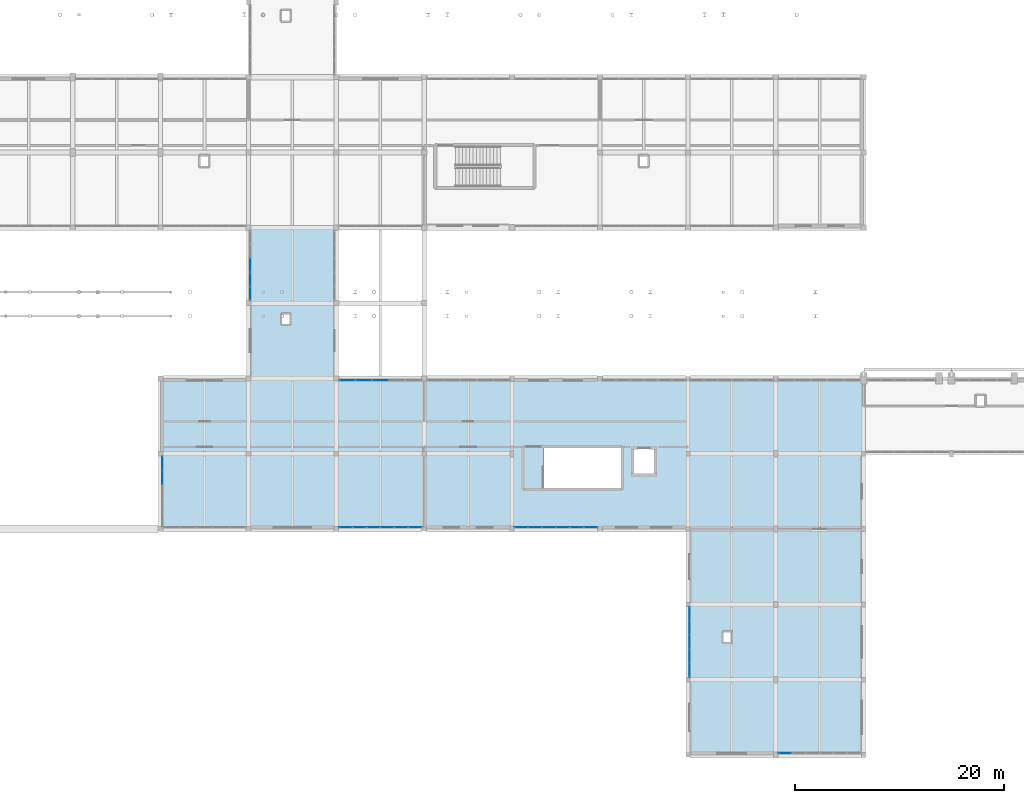
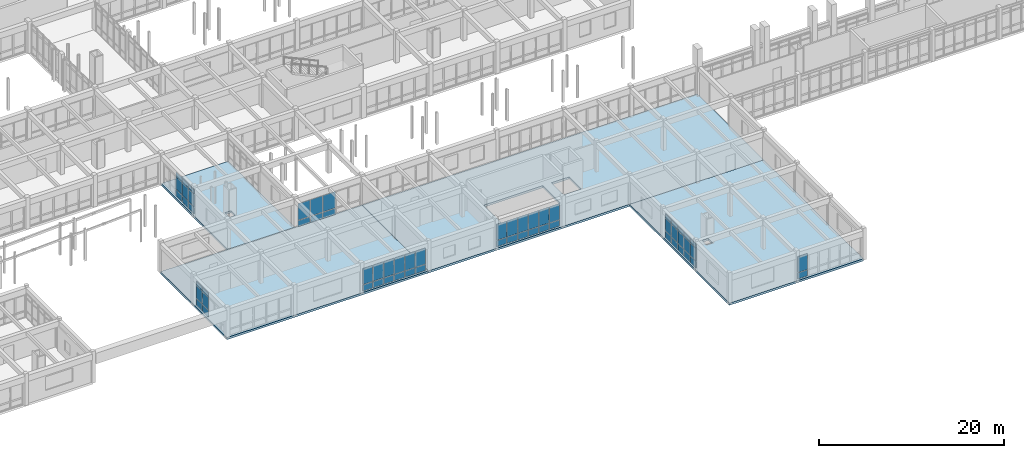
# One storey, part 103 of 147: 62 plates, 4 slabs, 7 elements without a shape of their own.
"""IFC4 building model written with IfcOpenShell, lengths in metres."""

from ifc_helpers import new_model, si_unit, direction, frame, origin, origin_2d, place, context, subcontext, project, spatial, polyline, rectangle, outline, extrude, material, layer, layer_set, type_object, element, aggregate, save


model = new_model("IFC4")

# Units and contexts
model_context = context("Model", 3, precision=1e-05, world=origin(), true_north=direction((0.0, 1.0)))
body_context = subcontext(model_context, "Body", "Model", "MODEL_VIEW")
ifc_project = project(units=[si_unit("LENGTHUNIT", "METRE"), si_unit("AREAUNIT", "SQUARE_METRE"), si_unit("VOLUMEUNIT", "CUBIC_METRE"), si_unit("PLANEANGLEUNIT", "RADIAN"), si_unit("MASSUNIT", "GRAM", prefix="KILO")], contexts=[model_context])

# Site, building, storey
site_placement = place(None, origin())
site = spatial("IfcSite", under=ifc_project, at=site_placement, CompositionType="ELEMENT")
building_placement = place(site_placement, origin())
building = spatial("IfcBuilding", under=site, at=building_placement, Name="Malvenik Polytechnic", CompositionType="ELEMENT")
storey_placement = place(building_placement, frame((0.0, 0.0, 5.10009765625)))
storey = spatial("IfcBuildingStorey", under=building, at=storey_placement, Name="L01", CompositionType="ELEMENT", Elevation=5.10009765625)

# Curtain wall, plates
ifc_material_1 = material(Name="Anodised aluminium 6060-T6", Category="aluminium")
curtain_wall_type_1 = type_object("IfcCurtainWallType", Name="ARC-CW-CW-02", PredefinedType="NOTDEFINED", material=ifc_material_1)
curtain_wall_1_placement = place(storey_placement, origin())
curtain_wall_1 = element("IfcCurtainWall", 1, at=curtain_wall_1_placement, inside=storey, type_object=curtain_wall_type_1, Name="Unitised Curtain Wall CW-02 L01 #94", PredefinedType="NOTDEFINED")
ifc_material_2 = material(Name="Insulated low-E double glazing 8-16-8", Category="glass")
ifc_layer_1 = layer(ifc_material_2, 0.028076171875)
ifc_layer_set_1 = layer_set([ifc_layer_1], Name="Insulated low-E double glazing 8-16-8")
plate_type_1 = type_object("IfcPlateType", Name="ARC-CWP-CP-GLZ28", PredefinedType="CURTAIN_PANEL", material=ifc_layer_set_1)
plate_1_placement = place(storey_placement, frame((85.053466796875, 35.830078125, 0.929931640625), z_axis=(0.0, 0.0, 1.0), x_axis=(1.0, 0.0, 0.0)))
plate_1 = element("IfcPlate", 2, at=plate_1_placement, type_object=plate_type_1, Name="CW-02 panel 1.2", PredefinedType="CURTAIN_PANEL", context=body_context, shape_type="SweptSolid", body=[
    extrude(rectangle(XDim=1.49072265625, YDim=0.028076171875, at=origin_2d()), origin(), (0.0, 0.0, 1.0), 2.169921875),
])
plate_2_placement = place(storey_placement, frame((86.619140625, 35.830078125, 0.929931640625), z_axis=(0.0, 0.0, 1.0), x_axis=(1.0, 0.0, 0.0)))
plate_2 = element("IfcPlate", 3, at=plate_2_placement, type_object=plate_type_1, Name="CW-02 panel 2.2", PredefinedType="CURTAIN_PANEL", context=body_context, shape_type="SweptSolid", body=[
    extrude(rectangle(XDim=1.520751953125, YDim=0.028076171875, at=origin_2d()), origin(), (0.0, 0.0, 1.0), 2.169921875),
])
plate_3_placement = place(storey_placement, frame((88.199951171875, 35.830078125, 0.929931640625), z_axis=(0.0, 0.0, 1.0), x_axis=(1.0, 0.0, 0.0)))
plate_3 = element("IfcPlate", 4, at=plate_3_placement, type_object=plate_type_1, Name="CW-02 panel 3.2", PredefinedType="CURTAIN_PANEL", context=body_context, shape_type="SweptSolid", body=[
    extrude(rectangle(XDim=1.520751953125, YDim=0.028076171875, at=origin_2d()), origin(), (0.0, 0.0, 1.0), 2.169921875),
])

# Curtain wall, plate
curtain_wall_2_placement = place(storey_placement, origin())
curtain_wall_2 = element("IfcCurtainWall", 5, at=curtain_wall_2_placement, inside=storey, type_object=curtain_wall_type_1, Name="Unitised Curtain Wall CW-02 L01 #111", PredefinedType="NOTDEFINED")
plate_4_placement = place(storey_placement, frame((126.8779296875, 0.169921875, 0.929931640625), z_axis=(0.0, 0.0, 1.0), x_axis=(-1.0, 0.0, 0.0)))
plate_4 = element("IfcPlate", 6, at=plate_4_placement, type_object=plate_type_1, Name="CW-02 panel 6.2", PredefinedType="CURTAIN_PANEL", context=body_context, shape_type="SweptSolid", body=[
    extrude(rectangle(XDim=1.23974609375, YDim=0.028076171875, at=origin_2d()), origin(), (0.0, 0.0, 1.0), 2.1201171875),
])

# Curtain wall, plates
curtain_wall_type_2 = type_object("IfcCurtainWallType", Name="ARC-CW-CW-05", PredefinedType="NOTDEFINED", material=ifc_material_1)
curtain_wall_3_placement = place(storey_placement, origin())
curtain_wall_3 = element("IfcCurtainWall", 7, at=curtain_wall_3_placement, inside=storey, type_object=curtain_wall_type_2, Name="Unitised Curtain Wall CW-05 L01 #112", PredefinedType="NOTDEFINED")
plate_5_placement = place(storey_placement, frame((117.77001953125, 8.093505859375, 0.97998046875), z_axis=(0.0, 0.0, 1.0), x_axis=(0.0, 1.0, 0.0)))
plate_5 = element("IfcPlate", 8, at=plate_5_placement, type_object=plate_type_1, Name="CW-05 panel 1.2", PredefinedType="CURTAIN_PANEL", context=body_context, shape_type="SweptSolid", body=[
    extrude(rectangle(XDim=1.270751953125, YDim=0.028076171875, at=origin_2d()), origin(), (0.0, 0.0, 1.0), 1.64990234375),
])
plate_6_placement = place(storey_placement, frame((117.77001953125, 8.093505859375, 2.68994140625), z_axis=(0.0, 0.0, 1.0), x_axis=(0.0, 1.0, 0.0)))
plate_6 = element("IfcPlate", 9, at=plate_6_placement, type_object=plate_type_1, Name="CW-05 panel 1.3", PredefinedType="CURTAIN_PANEL", context=body_context, shape_type="SweptSolid", body=[
    extrude(rectangle(XDim=1.270751953125, YDim=0.028076171875, at=origin_2d()), origin(), (0.0, 0.0, 1.0), 0.56005859375),
])
plate_7_placement = place(storey_placement, frame((117.77001953125, 9.439208984375, 0.97998046875), z_axis=(0.0, 0.0, 1.0), x_axis=(0.0, 1.0, 0.0)))
plate_7 = element("IfcPlate", 10, at=plate_7_placement, type_object=plate_type_1, Name="CW-05 panel 2.2", PredefinedType="CURTAIN_PANEL", context=body_context, shape_type="SweptSolid", body=[
    extrude(rectangle(XDim=1.30078125, YDim=0.028076171875, at=origin_2d()), origin(), (0.0, 0.0, 1.0), 1.64990234375),
])
plate_8_placement = place(storey_placement, frame((117.77001953125, 9.439208984375, 2.68994140625), z_axis=(0.0, 0.0, 1.0), x_axis=(0.0, 1.0, 0.0)))
plate_8 = element("IfcPlate", 11, at=plate_8_placement, type_object=plate_type_1, Name="CW-05 panel 2.3", PredefinedType="CURTAIN_PANEL", context=body_context, shape_type="SweptSolid", body=[
    extrude(rectangle(XDim=1.30078125, YDim=0.028076171875, at=origin_2d()), origin(), (0.0, 0.0, 1.0), 0.56005859375),
])
plate_9_placement = place(storey_placement, frame((117.77001953125, 10.800048828125, 0.97998046875), z_axis=(0.0, 0.0, 1.0), x_axis=(0.0, 1.0, 0.0)))
plate_9 = element("IfcPlate", 12, at=plate_9_placement, type_object=plate_type_1, Name="CW-05 panel 3.2", PredefinedType="CURTAIN_PANEL", context=body_context, shape_type="SweptSolid", body=[
    extrude(rectangle(XDim=1.30078125, YDim=0.028076171875, at=origin_2d()), origin(), (0.0, 0.0, 1.0), 1.64990234375),
])
plate_10_placement = place(storey_placement, frame((117.77001953125, 10.800048828125, 2.68994140625), z_axis=(0.0, 0.0, 1.0), x_axis=(0.0, 1.0, 0.0)))
plate_10 = element("IfcPlate", 13, at=plate_10_placement, type_object=plate_type_1, Name="CW-05 panel 3.3", PredefinedType="CURTAIN_PANEL", context=body_context, shape_type="SweptSolid", body=[
    extrude(rectangle(XDim=1.30078125, YDim=0.028076171875, at=origin_2d()), origin(), (0.0, 0.0, 1.0), 0.56005859375),
])
plate_11_placement = place(storey_placement, frame((117.77001953125, 12.160888671875, 0.97998046875), z_axis=(0.0, 0.0, 1.0), x_axis=(0.0, 1.0, 0.0)))
plate_11 = element("IfcPlate", 14, at=plate_11_placement, type_object=plate_type_1, Name="CW-05 panel 4.2", PredefinedType="CURTAIN_PANEL", context=body_context, shape_type="SweptSolid", body=[
    extrude(rectangle(XDim=1.30078125, YDim=0.028076171875, at=origin_2d()), origin(), (0.0, 0.0, 1.0), 1.64990234375),
])
plate_12_placement = place(storey_placement, frame((117.77001953125, 12.160888671875, 2.68994140625), z_axis=(0.0, 0.0, 1.0), x_axis=(0.0, 1.0, 0.0)))
plate_12 = element("IfcPlate", 15, at=plate_12_placement, type_object=plate_type_1, Name="CW-05 panel 4.3", PredefinedType="CURTAIN_PANEL", context=body_context, shape_type="SweptSolid", body=[
    extrude(rectangle(XDim=1.30078125, YDim=0.028076171875, at=origin_2d()), origin(), (0.0, 0.0, 1.0), 0.56005859375),
])
plate_13_placement = place(storey_placement, frame((117.77001953125, 13.506591796875, 0.97998046875), z_axis=(0.0, 0.0, 1.0), x_axis=(0.0, 1.0, 0.0)))
plate_13 = element("IfcPlate", 16, at=plate_13_placement, type_object=plate_type_1, Name="CW-05 panel 5.2", PredefinedType="CURTAIN_PANEL", context=body_context, shape_type="SweptSolid", body=[
    extrude(rectangle(XDim=1.270751953125, YDim=0.028076171875, at=origin_2d()), origin(), (0.0, 0.0, 1.0), 1.64990234375),
])
plate_14_placement = place(storey_placement, frame((117.77001953125, 13.506591796875, 2.68994140625), z_axis=(0.0, 0.0, 1.0), x_axis=(0.0, 1.0, 0.0)))
plate_14 = element("IfcPlate", 17, at=plate_14_placement, type_object=plate_type_1, Name="CW-05 panel 5.3", PredefinedType="CURTAIN_PANEL", context=body_context, shape_type="SweptSolid", body=[
    extrude(rectangle(XDim=1.270751953125, YDim=0.028076171875, at=origin_2d()), origin(), (0.0, 0.0, 1.0), 0.56005859375),
])

curtain_wall_4_placement = place(storey_placement, origin())
curtain_wall_4 = element("IfcCurtainWall", 18, at=curtain_wall_4_placement, inside=storey, type_object=curtain_wall_type_1, Name="Unitised Curtain Wall CW-02 L01 #113", PredefinedType="NOTDEFINED")
plate_15_placement = place(storey_placement, frame((108.297119140625, 21.77001953125, 0.929931640625), z_axis=(0.0, 0.0, 1.0), x_axis=(-1.0, 0.0, 0.0)))
plate_15 = element("IfcPlate", 19, at=plate_15_placement, type_object=plate_type_1, Name="CW-02 panel 1.2", PredefinedType="CURTAIN_PANEL", context=body_context, shape_type="SweptSolid", body=[
    extrude(rectangle(XDim=1.23974609375, YDim=0.028076171875, at=origin_2d()), origin(), (0.0, 0.0, 1.0), 2.1201171875),
])
plate_16_placement = place(storey_placement, frame((106.982177734375, 21.77001953125, 0.929931640625), z_axis=(0.0, 0.0, 1.0), x_axis=(-1.0, 0.0, 0.0)))
plate_16 = element("IfcPlate", 20, at=plate_16_placement, type_object=plate_type_1, Name="CW-02 panel 2.2", PredefinedType="CURTAIN_PANEL", context=body_context, shape_type="SweptSolid", body=[
    extrude(rectangle(XDim=1.269775390625, YDim=0.028076171875, at=origin_2d()), origin(), (0.0, 0.0, 1.0), 2.1201171875),
])
plate_17_placement = place(storey_placement, frame((105.65234375, 21.77001953125, 0.929931640625), z_axis=(0.0, 0.0, 1.0), x_axis=(-1.0, 0.0, 0.0)))
plate_17 = element("IfcPlate", 21, at=plate_17_placement, type_object=plate_type_1, Name="CW-02 panel 3.2", PredefinedType="CURTAIN_PANEL", context=body_context, shape_type="SweptSolid", body=[
    extrude(rectangle(XDim=1.269775390625, YDim=0.028076171875, at=origin_2d()), origin(), (0.0, 0.0, 1.0), 2.1201171875),
])
plate_18_placement = place(storey_placement, frame((104.322509765625, 21.77001953125, 0.929931640625), z_axis=(0.0, 0.0, 1.0), x_axis=(-1.0, 0.0, 0.0)))
plate_18 = element("IfcPlate", 22, at=plate_18_placement, type_object=plate_type_1, Name="CW-02 panel 4.2", PredefinedType="CURTAIN_PANEL", context=body_context, shape_type="SweptSolid", body=[
    extrude(rectangle(XDim=1.269775390625, YDim=0.028076171875, at=origin_2d()), origin(), (0.0, 0.0, 1.0), 2.1201171875),
])
plate_19_placement = place(storey_placement, frame((102.99267578125, 21.77001953125, 0.929931640625), z_axis=(0.0, 0.0, 1.0), x_axis=(-1.0, 0.0, 0.0)))
plate_19 = element("IfcPlate", 23, at=plate_19_placement, type_object=plate_type_1, Name="CW-02 panel 5.2", PredefinedType="CURTAIN_PANEL", context=body_context, shape_type="SweptSolid", body=[
    extrude(rectangle(XDim=1.269775390625, YDim=0.028076171875, at=origin_2d()), origin(), (0.0, 0.0, 1.0), 2.1201171875),
])
plate_20_placement = place(storey_placement, frame((101.677978515625, 21.77001953125, 0.929931640625), z_axis=(0.0, 0.0, 1.0), x_axis=(-1.0, 0.0, 0.0)))
plate_20 = element("IfcPlate", 24, at=plate_20_placement, type_object=plate_type_1, Name="CW-02 panel 6.2", PredefinedType="CURTAIN_PANEL", context=body_context, shape_type="SweptSolid", body=[
    extrude(rectangle(XDim=1.23974609375, YDim=0.028076171875, at=origin_2d()), origin(), (0.0, 0.0, 1.0), 2.1201171875),
])

curtain_wall_5_placement = place(storey_placement, origin())
curtain_wall_5 = element("IfcCurtainWall", 25, at=curtain_wall_5_placement, inside=storey, type_object=curtain_wall_type_1, Name="Unitised Curtain Wall CW-02 L01 #114", PredefinedType="NOTDEFINED")
plate_21_placement = place(storey_placement, frame((91.52197265625, 21.77001953125, 0.929931640625), z_axis=(0.0, 0.0, 1.0), x_axis=(-1.0, 0.0, 0.0)))
plate_21 = element("IfcPlate", 26, at=plate_21_placement, type_object=plate_type_1, Name="CW-02 panel 1.2", PredefinedType="CURTAIN_PANEL", context=body_context, shape_type="SweptSolid", body=[
    extrude(rectangle(XDim=1.23974609375, YDim=0.028076171875, at=origin_2d()), origin(), (0.0, 0.0, 1.0), 2.1201171875),
])
plate_22_placement = place(storey_placement, frame((90.207275390625, 21.77001953125, 0.929931640625), z_axis=(0.0, 0.0, 1.0), x_axis=(-1.0, 0.0, 0.0)))
plate_22 = element("IfcPlate", 27, at=plate_22_placement, type_object=plate_type_1, Name="CW-02 panel 2.2", PredefinedType="CURTAIN_PANEL", context=body_context, shape_type="SweptSolid", body=[
    extrude(rectangle(XDim=1.269775390625, YDim=0.028076171875, at=origin_2d()), origin(), (0.0, 0.0, 1.0), 2.1201171875),
])
plate_23_placement = place(storey_placement, frame((88.87744140625, 21.77001953125, 0.929931640625), z_axis=(0.0, 0.0, 1.0), x_axis=(-1.0, 0.0, 0.0)))
plate_23 = element("IfcPlate", 28, at=plate_23_placement, type_object=plate_type_1, Name="CW-02 panel 3.2", PredefinedType="CURTAIN_PANEL", context=body_context, shape_type="SweptSolid", body=[
    extrude(rectangle(XDim=1.269775390625, YDim=0.028076171875, at=origin_2d()), origin(), (0.0, 0.0, 1.0), 2.1201171875),
])
plate_24_placement = place(storey_placement, frame((87.547607421875, 21.77001953125, 0.929931640625), z_axis=(0.0, 0.0, 1.0), x_axis=(-1.0, 0.0, 0.0)))
plate_24 = element("IfcPlate", 29, at=plate_24_placement, type_object=plate_type_1, Name="CW-02 panel 4.2", PredefinedType="CURTAIN_PANEL", context=body_context, shape_type="SweptSolid", body=[
    extrude(rectangle(XDim=1.269775390625, YDim=0.028076171875, at=origin_2d()), origin(), (0.0, 0.0, 1.0), 2.1201171875),
])
plate_25_placement = place(storey_placement, frame((86.2177734375, 21.77001953125, 0.929931640625), z_axis=(0.0, 0.0, 1.0), x_axis=(-1.0, 0.0, 0.0)))
plate_25 = element("IfcPlate", 30, at=plate_25_placement, type_object=plate_type_1, Name="CW-02 panel 5.2", PredefinedType="CURTAIN_PANEL", context=body_context, shape_type="SweptSolid", body=[
    extrude(rectangle(XDim=1.269775390625, YDim=0.028076171875, at=origin_2d()), origin(), (0.0, 0.0, 1.0), 2.1201171875),
])
plate_26_placement = place(storey_placement, frame((84.90283203125, 21.77001953125, 0.929931640625), z_axis=(0.0, 0.0, 1.0), x_axis=(-1.0, 0.0, 0.0)))
plate_26 = element("IfcPlate", 31, at=plate_26_placement, type_object=plate_type_1, Name="CW-02 panel 6.2", PredefinedType="CURTAIN_PANEL", context=body_context, shape_type="SweptSolid", body=[
    extrude(rectangle(XDim=1.23974609375, YDim=0.028076171875, at=origin_2d()), origin(), (0.0, 0.0, 1.0), 2.1201171875),
])

curtain_wall_6_placement = place(storey_placement, origin())
curtain_wall_6 = element("IfcCurtainWall", 32, at=curtain_wall_6_placement, inside=storey, type_object=curtain_wall_type_2, Name="Unitised Curtain Wall CW-05 L01 #116", PredefinedType="NOTDEFINED")
plate_27_placement = place(storey_placement, frame((67.3701171875, 26.55078125, 0.97998046875), z_axis=(0.0, 0.0, 1.0), x_axis=(0.0, 1.0, 0.0)))
plate_27 = element("IfcPlate", 33, at=plate_27_placement, type_object=plate_type_1, Name="CW-05 panel 4.2", PredefinedType="CURTAIN_PANEL", context=body_context, shape_type="SweptSolid", body=[
    extrude(rectangle(XDim=1.290771484375, YDim=0.028076171875, at=origin_2d()), origin(), (0.0, 0.0, 1.0), 1.64990234375),
])
plate_28_placement = place(storey_placement, frame((67.3701171875, 26.55078125, 2.68994140625), z_axis=(0.0, 0.0, 1.0), x_axis=(0.0, 1.0, 0.0)))
plate_28 = element("IfcPlate", 34, at=plate_28_placement, type_object=plate_type_1, Name="CW-05 panel 4.3", PredefinedType="CURTAIN_PANEL", context=body_context, shape_type="SweptSolid", body=[
    extrude(rectangle(XDim=1.290771484375, YDim=0.028076171875, at=origin_2d()), origin(), (0.0, 0.0, 1.0), 0.56005859375),
])
plate_29_placement = place(storey_placement, frame((67.3701171875, 27.88671875, 0.97998046875), z_axis=(0.0, 0.0, 1.0), x_axis=(0.0, 1.0, 0.0)))
plate_29 = element("IfcPlate", 35, at=plate_29_placement, type_object=plate_type_1, Name="CW-05 panel 5.2", PredefinedType="CURTAIN_PANEL", context=body_context, shape_type="SweptSolid", body=[
    extrude(rectangle(XDim=1.2607421875, YDim=0.028076171875, at=origin_2d()), origin(), (0.0, 0.0, 1.0), 1.64990234375),
])
plate_30_placement = place(storey_placement, frame((67.3701171875, 27.88671875, 2.68994140625), z_axis=(0.0, 0.0, 1.0), x_axis=(0.0, 1.0, 0.0)))
plate_30 = element("IfcPlate", 36, at=plate_30_placement, type_object=plate_type_1, Name="CW-05 panel 5.3", PredefinedType="CURTAIN_PANEL", context=body_context, shape_type="SweptSolid", body=[
    extrude(rectangle(XDim=1.2607421875, YDim=0.028076171875, at=origin_2d()), origin(), (0.0, 0.0, 1.0), 0.56005859375),
])

curtain_wall_7_placement = place(storey_placement, origin())
curtain_wall_7 = element("IfcCurtainWall", 37, at=curtain_wall_7_placement, inside=storey, type_object=curtain_wall_type_2, Name="Unitised Curtain Wall CW-05 L01 #117", PredefinedType="NOTDEFINED")
plate_31_placement = place(storey_placement, frame((75.77001953125, 44.13330078125, 0.97998046875), z_axis=(0.0, 0.0, 1.0), x_axis=(0.0, 1.0, 0.0)))
plate_31 = element("IfcPlate", 38, at=plate_31_placement, type_object=plate_type_1, Name="CW-05 panel 1.2", PredefinedType="CURTAIN_PANEL", context=body_context, shape_type="SweptSolid", body=[
    extrude(rectangle(XDim=1.250732421875, YDim=0.028076171875, at=origin_2d()), origin(), (0.0, 0.0, 1.0), 1.64990234375),
])
plate_32_placement = place(storey_placement, frame((75.77001953125, 44.13330078125, 2.68994140625), z_axis=(0.0, 0.0, 1.0), x_axis=(0.0, 1.0, 0.0)))
plate_32 = element("IfcPlate", 39, at=plate_32_placement, type_object=plate_type_1, Name="CW-05 panel 1.3", PredefinedType="CURTAIN_PANEL", context=body_context, shape_type="SweptSolid", body=[
    extrude(rectangle(XDim=1.250732421875, YDim=0.028076171875, at=origin_2d()), origin(), (0.0, 0.0, 1.0), 0.56005859375),
])
plate_33_placement = place(storey_placement, frame((75.77001953125, 45.459228515625, 0.97998046875), z_axis=(0.0, 0.0, 1.0), x_axis=(0.0, 1.0, 0.0)))
plate_33 = element("IfcPlate", 40, at=plate_33_placement, type_object=plate_type_1, Name="CW-05 panel 2.2", PredefinedType="CURTAIN_PANEL", context=body_context, shape_type="SweptSolid", body=[
    extrude(rectangle(XDim=1.28076171875, YDim=0.028076171875, at=origin_2d()), origin(), (0.0, 0.0, 1.0), 1.64990234375),
])
plate_34_placement = place(storey_placement, frame((75.77001953125, 45.459228515625, 2.68994140625), z_axis=(0.0, 0.0, 1.0), x_axis=(0.0, 1.0, 0.0)))
plate_34 = element("IfcPlate", 41, at=plate_34_placement, type_object=plate_type_1, Name="CW-05 panel 2.3", PredefinedType="CURTAIN_PANEL", context=body_context, shape_type="SweptSolid", body=[
    extrude(rectangle(XDim=1.28076171875, YDim=0.028076171875, at=origin_2d()), origin(), (0.0, 0.0, 1.0), 0.56005859375),
])
plate_35_placement = place(storey_placement, frame((75.77001953125, 46.800048828125, 0.97998046875), z_axis=(0.0, 0.0, 1.0), x_axis=(0.0, 1.0, 0.0)))
plate_35 = element("IfcPlate", 42, at=plate_35_placement, type_object=plate_type_1, Name="CW-05 panel 3.2", PredefinedType="CURTAIN_PANEL", context=body_context, shape_type="SweptSolid", body=[
    extrude(rectangle(XDim=1.28076171875, YDim=0.028076171875, at=origin_2d()), origin(), (0.0, 0.0, 1.0), 1.64990234375),
])
plate_36_placement = place(storey_placement, frame((75.77001953125, 46.800048828125, 2.68994140625), z_axis=(0.0, 0.0, 1.0), x_axis=(0.0, 1.0, 0.0)))
plate_36 = element("IfcPlate", 43, at=plate_36_placement, type_object=plate_type_1, Name="CW-05 panel 3.3", PredefinedType="CURTAIN_PANEL", context=body_context, shape_type="SweptSolid", body=[
    extrude(rectangle(XDim=1.28076171875, YDim=0.028076171875, at=origin_2d()), origin(), (0.0, 0.0, 1.0), 0.56005859375),
])

# Plate
ifc_material_3 = material(Name="Insulated aluminium spandrel cassette 42mm", Category="aluminium")
ifc_layer_2 = layer(ifc_material_3, 0.0419921875)
ifc_layer_set_2 = layer_set([ifc_layer_2], Name="Insulated aluminium spandrel cassette 42mm")
plate_type_2 = type_object("IfcPlateType", Name="ARC-CWP-CP-SPN42", PredefinedType="CURTAIN_PANEL", material=ifc_layer_set_2)
plate_37_placement = place(storey_placement, frame((85.053466796875, 35.830078125, 0.059814453125), z_axis=(0.0, 0.0, 1.0), x_axis=(1.0, 0.0, 0.0)))
plate_37 = element("IfcPlate", 44, at=plate_37_placement, type_object=plate_type_2, Name="CW-02 panel 1.1", PredefinedType="CURTAIN_PANEL", context=body_context, shape_type="SweptSolid", body=[
    extrude(rectangle(XDim=1.49072265625, YDim=0.028076171875, at=origin_2d()), origin(), (0.0, 0.0, 1.0), 0.81005859375),
])

plate_38_placement = place(storey_placement, frame((86.619140625, 35.830078125, 0.059814453125), z_axis=(0.0, 0.0, 1.0), x_axis=(1.0, 0.0, 0.0)))
plate_38 = element("IfcPlate", 45, at=plate_38_placement, type_object=plate_type_2, Name="CW-02 panel 2.1", PredefinedType="CURTAIN_PANEL", context=body_context, shape_type="SweptSolid", body=[
    extrude(rectangle(XDim=1.520751953125, YDim=0.028076171875, at=origin_2d()), origin(), (0.0, 0.0, 1.0), 0.81005859375),
])

plate_39_placement = place(storey_placement, frame((88.199951171875, 35.830078125, 0.059814453125), z_axis=(0.0, 0.0, 1.0), x_axis=(1.0, 0.0, 0.0)))
plate_39 = element("IfcPlate", 46, at=plate_39_placement, type_object=plate_type_2, Name="CW-02 panel 3.1", PredefinedType="CURTAIN_PANEL", context=body_context, shape_type="SweptSolid", body=[
    extrude(rectangle(XDim=1.520751953125, YDim=0.028076171875, at=origin_2d()), origin(), (0.0, 0.0, 1.0), 0.81005859375),
])

aggregate(curtain_wall_1, [plate_37, plate_1, plate_38, plate_2, plate_39, plate_3])

plate_40_placement = place(storey_placement, frame((126.8779296875, 0.169921875, 0.059814453125), z_axis=(0.0, 0.0, 1.0), x_axis=(-1.0, 0.0, 0.0)))
plate_40 = element("IfcPlate", 47, at=plate_40_placement, type_object=plate_type_2, Name="CW-02 panel 6.1", PredefinedType="CURTAIN_PANEL", context=body_context, shape_type="SweptSolid", body=[
    extrude(rectangle(XDim=1.23974609375, YDim=0.028076171875, at=origin_2d()), origin(), (0.0, 0.0, 1.0), 0.81005859375),
])

aggregate(curtain_wall_2, [plate_40, plate_4])

plate_41_placement = place(storey_placement, frame((117.77001953125, 8.093505859375, 0.06005859375), z_axis=(0.0, 0.0, 1.0), x_axis=(0.0, 1.0, 0.0)))
plate_41 = element("IfcPlate", 48, at=plate_41_placement, type_object=plate_type_2, Name="CW-05 panel 1.1", PredefinedType="CURTAIN_PANEL", context=body_context, shape_type="SweptSolid", body=[
    extrude(rectangle(XDim=1.270751953125, YDim=0.028076171875, at=origin_2d()), origin(), (0.0, 0.0, 1.0), 0.860107421875),
])

plate_42_placement = place(storey_placement, frame((117.77001953125, 9.439208984375, 0.06005859375), z_axis=(0.0, 0.0, 1.0), x_axis=(0.0, 1.0, 0.0)))
plate_42 = element("IfcPlate", 49, at=plate_42_placement, type_object=plate_type_2, Name="CW-05 panel 2.1", PredefinedType="CURTAIN_PANEL", context=body_context, shape_type="SweptSolid", body=[
    extrude(rectangle(XDim=1.30078125, YDim=0.028076171875, at=origin_2d()), origin(), (0.0, 0.0, 1.0), 0.860107421875),
])

plate_43_placement = place(storey_placement, frame((117.77001953125, 10.800048828125, 0.06005859375), z_axis=(0.0, 0.0, 1.0), x_axis=(0.0, 1.0, 0.0)))
plate_43 = element("IfcPlate", 50, at=plate_43_placement, type_object=plate_type_2, Name="CW-05 panel 3.1", PredefinedType="CURTAIN_PANEL", context=body_context, shape_type="SweptSolid", body=[
    extrude(rectangle(XDim=1.30078125, YDim=0.028076171875, at=origin_2d()), origin(), (0.0, 0.0, 1.0), 0.860107421875),
])

plate_44_placement = place(storey_placement, frame((117.77001953125, 12.160888671875, 0.06005859375), z_axis=(0.0, 0.0, 1.0), x_axis=(0.0, 1.0, 0.0)))
plate_44 = element("IfcPlate", 51, at=plate_44_placement, type_object=plate_type_2, Name="CW-05 panel 4.1", PredefinedType="CURTAIN_PANEL", context=body_context, shape_type="SweptSolid", body=[
    extrude(rectangle(XDim=1.30078125, YDim=0.028076171875, at=origin_2d()), origin(), (0.0, 0.0, 1.0), 0.860107421875),
])

plate_45_placement = place(storey_placement, frame((117.77001953125, 13.506591796875, 0.06005859375), z_axis=(0.0, 0.0, 1.0), x_axis=(0.0, 1.0, 0.0)))
plate_45 = element("IfcPlate", 52, at=plate_45_placement, type_object=plate_type_2, Name="CW-05 panel 5.1", PredefinedType="CURTAIN_PANEL", context=body_context, shape_type="SweptSolid", body=[
    extrude(rectangle(XDim=1.270751953125, YDim=0.028076171875, at=origin_2d()), origin(), (0.0, 0.0, 1.0), 0.860107421875),
])

aggregate(curtain_wall_3, [plate_41, plate_5, plate_6, plate_42, plate_7, plate_8, plate_43, plate_9, plate_10, plate_44, plate_11, plate_12, plate_45, plate_13, plate_14])

plate_46_placement = place(storey_placement, frame((108.297119140625, 21.77001953125, 0.059814453125), z_axis=(0.0, 0.0, 1.0), x_axis=(-1.0, 0.0, 0.0)))
plate_46 = element("IfcPlate", 53, at=plate_46_placement, type_object=plate_type_2, Name="CW-02 panel 1.1", PredefinedType="CURTAIN_PANEL", context=body_context, shape_type="SweptSolid", body=[
    extrude(rectangle(XDim=1.23974609375, YDim=0.028076171875, at=origin_2d()), origin(), (0.0, 0.0, 1.0), 0.81005859375),
])

plate_47_placement = place(storey_placement, frame((106.982177734375, 21.77001953125, 0.059814453125), z_axis=(0.0, 0.0, 1.0), x_axis=(-1.0, 0.0, 0.0)))
plate_47 = element("IfcPlate", 54, at=plate_47_placement, type_object=plate_type_2, Name="CW-02 panel 2.1", PredefinedType="CURTAIN_PANEL", context=body_context, shape_type="SweptSolid", body=[
    extrude(rectangle(XDim=1.269775390625, YDim=0.028076171875, at=origin_2d()), origin(), (0.0, 0.0, 1.0), 0.81005859375),
])

plate_48_placement = place(storey_placement, frame((105.65234375, 21.77001953125, 0.059814453125), z_axis=(0.0, 0.0, 1.0), x_axis=(-1.0, 0.0, 0.0)))
plate_48 = element("IfcPlate", 55, at=plate_48_placement, type_object=plate_type_2, Name="CW-02 panel 3.1", PredefinedType="CURTAIN_PANEL", context=body_context, shape_type="SweptSolid", body=[
    extrude(rectangle(XDim=1.269775390625, YDim=0.028076171875, at=origin_2d()), origin(), (0.0, 0.0, 1.0), 0.81005859375),
])

plate_49_placement = place(storey_placement, frame((104.322509765625, 21.77001953125, 0.059814453125), z_axis=(0.0, 0.0, 1.0), x_axis=(-1.0, 0.0, 0.0)))
plate_49 = element("IfcPlate", 56, at=plate_49_placement, type_object=plate_type_2, Name="CW-02 panel 4.1", PredefinedType="CURTAIN_PANEL", context=body_context, shape_type="SweptSolid", body=[
    extrude(rectangle(XDim=1.269775390625, YDim=0.028076171875, at=origin_2d()), origin(), (0.0, 0.0, 1.0), 0.81005859375),
])

plate_50_placement = place(storey_placement, frame((102.99267578125, 21.77001953125, 0.059814453125), z_axis=(0.0, 0.0, 1.0), x_axis=(-1.0, 0.0, 0.0)))
plate_50 = element("IfcPlate", 57, at=plate_50_placement, type_object=plate_type_2, Name="CW-02 panel 5.1", PredefinedType="CURTAIN_PANEL", context=body_context, shape_type="SweptSolid", body=[
    extrude(rectangle(XDim=1.269775390625, YDim=0.028076171875, at=origin_2d()), origin(), (0.0, 0.0, 1.0), 0.81005859375),
])

plate_51_placement = place(storey_placement, frame((101.677978515625, 21.77001953125, 0.059814453125), z_axis=(0.0, 0.0, 1.0), x_axis=(-1.0, 0.0, 0.0)))
plate_51 = element("IfcPlate", 58, at=plate_51_placement, type_object=plate_type_2, Name="CW-02 panel 6.1", PredefinedType="CURTAIN_PANEL", context=body_context, shape_type="SweptSolid", body=[
    extrude(rectangle(XDim=1.23974609375, YDim=0.028076171875, at=origin_2d()), origin(), (0.0, 0.0, 1.0), 0.81005859375),
])

aggregate(curtain_wall_4, [plate_46, plate_15, plate_47, plate_16, plate_48, plate_17, plate_49, plate_18, plate_50, plate_19, plate_51, plate_20])

plate_52_placement = place(storey_placement, frame((91.52197265625, 21.77001953125, 0.059814453125), z_axis=(0.0, 0.0, 1.0), x_axis=(-1.0, 0.0, 0.0)))
plate_52 = element("IfcPlate", 59, at=plate_52_placement, type_object=plate_type_2, Name="CW-02 panel 1.1", PredefinedType="CURTAIN_PANEL", context=body_context, shape_type="SweptSolid", body=[
    extrude(rectangle(XDim=1.23974609375, YDim=0.028076171875, at=origin_2d()), origin(), (0.0, 0.0, 1.0), 0.81005859375),
])

plate_53_placement = place(storey_placement, frame((90.207275390625, 21.77001953125, 0.059814453125), z_axis=(0.0, 0.0, 1.0), x_axis=(-1.0, 0.0, 0.0)))
plate_53 = element("IfcPlate", 60, at=plate_53_placement, type_object=plate_type_2, Name="CW-02 panel 2.1", PredefinedType="CURTAIN_PANEL", context=body_context, shape_type="SweptSolid", body=[
    extrude(rectangle(XDim=1.269775390625, YDim=0.028076171875, at=origin_2d()), origin(), (0.0, 0.0, 1.0), 0.81005859375),
])

plate_54_placement = place(storey_placement, frame((88.87744140625, 21.77001953125, 0.059814453125), z_axis=(0.0, 0.0, 1.0), x_axis=(-1.0, 0.0, 0.0)))
plate_54 = element("IfcPlate", 61, at=plate_54_placement, type_object=plate_type_2, Name="CW-02 panel 3.1", PredefinedType="CURTAIN_PANEL", context=body_context, shape_type="SweptSolid", body=[
    extrude(rectangle(XDim=1.269775390625, YDim=0.028076171875, at=origin_2d()), origin(), (0.0, 0.0, 1.0), 0.81005859375),
])

plate_55_placement = place(storey_placement, frame((87.547607421875, 21.77001953125, 0.059814453125), z_axis=(0.0, 0.0, 1.0), x_axis=(-1.0, 0.0, 0.0)))
plate_55 = element("IfcPlate", 62, at=plate_55_placement, type_object=plate_type_2, Name="CW-02 panel 4.1", PredefinedType="CURTAIN_PANEL", context=body_context, shape_type="SweptSolid", body=[
    extrude(rectangle(XDim=1.269775390625, YDim=0.028076171875, at=origin_2d()), origin(), (0.0, 0.0, 1.0), 0.81005859375),
])

plate_56_placement = place(storey_placement, frame((86.2177734375, 21.77001953125, 0.059814453125), z_axis=(0.0, 0.0, 1.0), x_axis=(-1.0, 0.0, 0.0)))
plate_56 = element("IfcPlate", 63, at=plate_56_placement, type_object=plate_type_2, Name="CW-02 panel 5.1", PredefinedType="CURTAIN_PANEL", context=body_context, shape_type="SweptSolid", body=[
    extrude(rectangle(XDim=1.269775390625, YDim=0.028076171875, at=origin_2d()), origin(), (0.0, 0.0, 1.0), 0.81005859375),
])

plate_57_placement = place(storey_placement, frame((84.90283203125, 21.77001953125, 0.059814453125), z_axis=(0.0, 0.0, 1.0), x_axis=(-1.0, 0.0, 0.0)))
plate_57 = element("IfcPlate", 64, at=plate_57_placement, type_object=plate_type_2, Name="CW-02 panel 6.1", PredefinedType="CURTAIN_PANEL", context=body_context, shape_type="SweptSolid", body=[
    extrude(rectangle(XDim=1.23974609375, YDim=0.028076171875, at=origin_2d()), origin(), (0.0, 0.0, 1.0), 0.81005859375),
])

aggregate(curtain_wall_5, [plate_52, plate_21, plate_53, plate_22, plate_54, plate_23, plate_55, plate_24, plate_56, plate_25, plate_57, plate_26])

plate_58_placement = place(storey_placement, frame((67.3701171875, 26.55078125, 0.06005859375), z_axis=(0.0, 0.0, 1.0), x_axis=(0.0, 1.0, 0.0)))
plate_58 = element("IfcPlate", 65, at=plate_58_placement, type_object=plate_type_2, Name="CW-05 panel 4.1", PredefinedType="CURTAIN_PANEL", context=body_context, shape_type="SweptSolid", body=[
    extrude(rectangle(XDim=1.290771484375, YDim=0.028076171875, at=origin_2d()), origin(), (0.0, 0.0, 1.0), 0.860107421875),
])

plate_59_placement = place(storey_placement, frame((67.3701171875, 27.88671875, 0.06005859375), z_axis=(0.0, 0.0, 1.0), x_axis=(0.0, 1.0, 0.0)))
plate_59 = element("IfcPlate", 66, at=plate_59_placement, type_object=plate_type_2, Name="CW-05 panel 5.1", PredefinedType="CURTAIN_PANEL", context=body_context, shape_type="SweptSolid", body=[
    extrude(rectangle(XDim=1.2607421875, YDim=0.028076171875, at=origin_2d()), origin(), (0.0, 0.0, 1.0), 0.860107421875),
])

aggregate(curtain_wall_6, [plate_58, plate_27, plate_28, plate_59, plate_29, plate_30])

plate_60_placement = place(storey_placement, frame((75.77001953125, 44.13330078125, 0.06005859375), z_axis=(0.0, 0.0, 1.0), x_axis=(0.0, 1.0, 0.0)))
plate_60 = element("IfcPlate", 67, at=plate_60_placement, type_object=plate_type_2, Name="CW-05 panel 1.1", PredefinedType="CURTAIN_PANEL", context=body_context, shape_type="SweptSolid", body=[
    extrude(rectangle(XDim=1.250732421875, YDim=0.028076171875, at=origin_2d()), origin(), (0.0, 0.0, 1.0), 0.860107421875),
])

plate_61_placement = place(storey_placement, frame((75.77001953125, 45.459228515625, 0.06005859375), z_axis=(0.0, 0.0, 1.0), x_axis=(0.0, 1.0, 0.0)))
plate_61 = element("IfcPlate", 68, at=plate_61_placement, type_object=plate_type_2, Name="CW-05 panel 2.1", PredefinedType="CURTAIN_PANEL", context=body_context, shape_type="SweptSolid", body=[
    extrude(rectangle(XDim=1.28076171875, YDim=0.028076171875, at=origin_2d()), origin(), (0.0, 0.0, 1.0), 0.860107421875),
])

plate_62_placement = place(storey_placement, frame((75.77001953125, 46.800048828125, 0.06005859375), z_axis=(0.0, 0.0, 1.0), x_axis=(0.0, 1.0, 0.0)))
plate_62 = element("IfcPlate", 69, at=plate_62_placement, type_object=plate_type_2, Name="CW-05 panel 3.1", PredefinedType="CURTAIN_PANEL", context=body_context, shape_type="SweptSolid", body=[
    extrude(rectangle(XDim=1.28076171875, YDim=0.028076171875, at=origin_2d()), origin(), (0.0, 0.0, 1.0), 0.860107421875),
])

aggregate(curtain_wall_7, [plate_60, plate_31, plate_32, plate_61, plate_33, plate_34, plate_62, plate_35, plate_36])

# Slabs
ifc_material_4 = material(Name="Concrete C35/45", Category="concrete")
ifc_layer_3 = layer(ifc_material_4, 0.280029296875)
ifc_layer_set_3 = layer_set([ifc_layer_3], Name="Concrete C35/45")
slab_type = type_object("IfcSlabType", Name="STR-SLB-FLR-280", PredefinedType="FLOOR", material=ifc_layer_set_3)
slab_1_placement = place(storey_placement, frame((0.0, 0.0, -0.280029296875)))
element("IfcSlab", 70, at=slab_1_placement, inside=storey, type_object=slab_type, Name="Structural Slab L01-V4-E #56", PredefinedType="FLOOR", context=body_context, shape_type="SweptSolid", body=[
    extrude(outline(polyline([(92.3798828125, 36.0), (92.3798828125, 21.60009765625), (67.199951171875, 21.60009765625), (67.199951171875, 36.0), (92.3798828125, 36.0)])), origin(), (0.0, 0.0, 1.0), 0.280029296875),
])
slab_2_placement = place(storey_placement, frame((0.0, 0.0, -0.280029296875)))
element("IfcSlab", 71, at=slab_2_placement, inside=storey, type_object=slab_type, Name="Structural Slab L01-V4-E #57", PredefinedType="FLOOR", context=body_context, shape_type="SweptSolid", body=[
    extrude(outline(polyline([(134.3798828125, 36.0), (134.3798828125, 21.60009765625), (92.419921875, 21.60009765625), (92.419921875, 36.0), (134.3798828125, 36.0)]), holes=[polyline([(111.199951171875, 25.550048828125), (111.199951171875, 29.35009765625), (103.818115234375, 29.35009765625), (103.818115234375, 25.550048828125), (111.199951171875, 25.550048828125)]), polyline([(114.5, 29.35009765625), (112.300048828125, 29.35009765625), (112.300048828125, 26.75), (114.5, 26.75), (114.5, 29.35009765625)])]), origin(), (0.0, 0.0, 1.0), 0.280029296875),
])
slab_3_placement = place(storey_placement, frame((0.0, 0.0, -0.280029296875)))
element("IfcSlab", 72, at=slab_3_placement, inside=storey, type_object=slab_type, Name="Structural Slab L01-V4-SE #58", PredefinedType="FLOOR", context=body_context, shape_type="SweptSolid", body=[
    extrude(outline(polyline([(117.60009765625, 21.60009765625), (134.3798828125, 21.60009765625), (134.3798828125, 0.0), (117.60009765625, 0.0), (117.60009765625, 21.60009765625)]), holes=[polyline([(121.75, 11.75), (121.0, 11.75), (121.0, 10.800048828125), (121.75, 10.800048828125), (121.75, 11.75)])]), origin(), (0.0, 0.0, 1.0), 0.280029296875),
])
slab_4_placement = place(storey_placement, frame((0.0, 0.0, -0.280029296875)))
element("IfcSlab", 73, at=slab_4_placement, inside=storey, type_object=slab_type, Name="Structural Slab L01-SP-S #61", PredefinedType="FLOOR", context=body_context, shape_type="SweptSolid", body=[
    extrude(outline(polyline([(75.60009765625, 50.39990234375), (84.0, 50.39990234375), (84.0, 36.0), (75.60009765625, 36.0), (75.60009765625, 50.39990234375)]), holes=[polyline([(79.550048828125, 42.14990234375), (78.800048828125, 42.14990234375), (78.800048828125, 41.199951171875), (79.550048828125, 41.199951171875), (79.550048828125, 42.14990234375)])]), origin(), (0.0, 0.0, 1.0), 0.280029296875),
])

save(model, "model.ifc")
